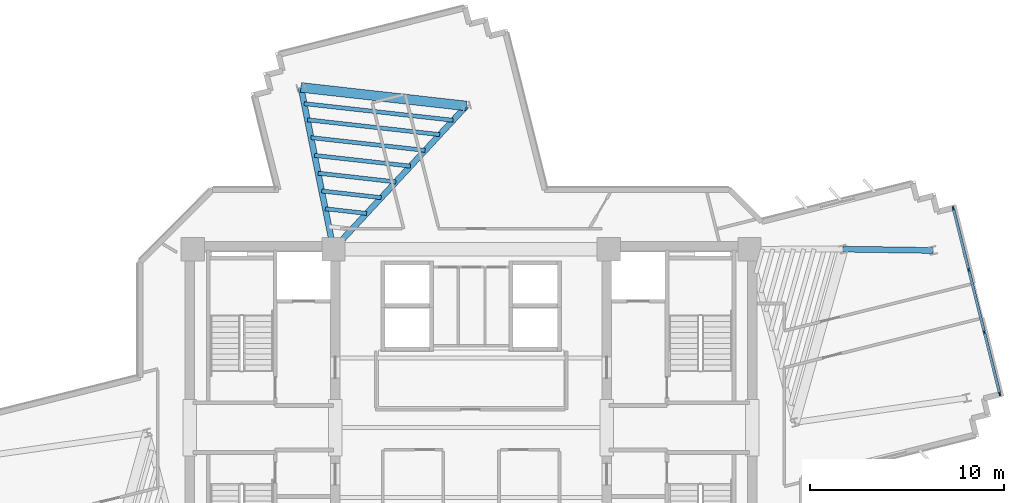
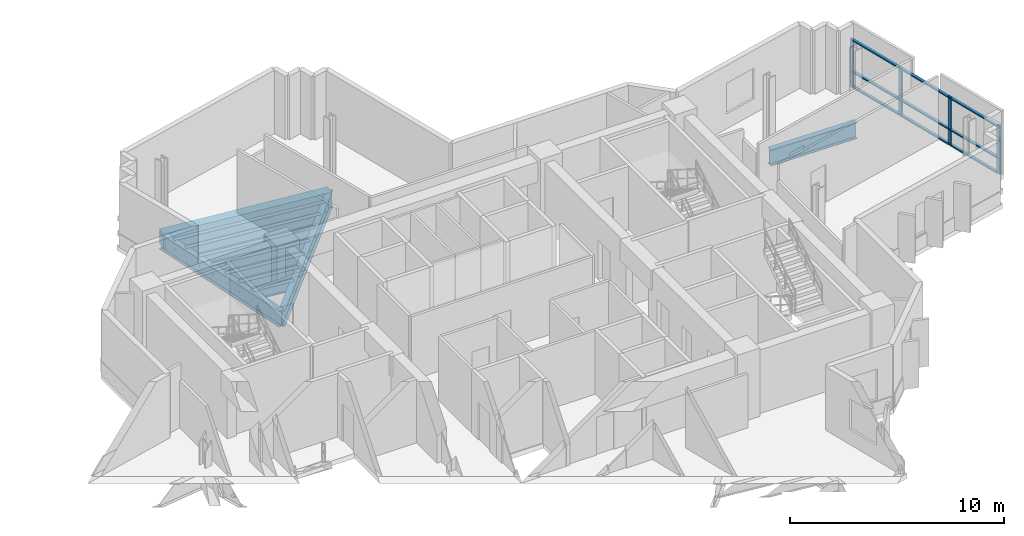
# One storey, part 4 of 13: 13 members, 11 beams, 1 element without a shape of its own.
"""IFC4 building model written with IfcOpenShell, lengths in metres."""

import ifcopenshell
import ifcopenshell.guid

model = None  # the IFC model being written
_history = None  # IfcOwnerHistory: only IFC2X3 demands one
_inside = {}  # id of a spatial element -> (the spatial element, [elements in it])
_under = {}  # id of a project, library or spatial element -> (it, [spatial elements below it])
_declared = {}  # id of a project -> (the project, [libraries it declares])
_typed = {}  # id of a type object -> (the type object, [elements of that type])
_made_of = {}  # id of a material, layer set ... -> (it, [elements and type objects made of it])


def new_model(schema):
    """Start an empty IFC model of exactly this schema.

    Asked for "IFC4X3", IfcOpenShell would pick the latest addendum, in which some entities
    have other attributes; the version numbers below select the first issue.
    IFC2X3 requires an IfcOwnerHistory on every rooted entity: one is made here for all.
    """
    global model, _history
    if schema == "IFC4X3":
        model = ifcopenshell.file(schema_version=(4, 3, 0, 0))
    else:
        model = ifcopenshell.file(schema=schema)
    _inside.clear()
    _under.clear()
    _declared.clear()
    _typed.clear()
    _made_of.clear()
    _history = None
    if model.schema == "IFC2X3":
        org = make("IfcOrganization", Name="unknown")
        user = make(
            "IfcPersonAndOrganization",
            ThePerson=make("IfcPerson", FamilyName="unknown"),
            TheOrganization=org,
        )
        app = make(
            "IfcApplication",
            ApplicationDeveloper=org,
            Version="unknown",
            ApplicationFullName="unknown",
            ApplicationIdentifier="unknown",
        )
        _history = make(
            "IfcOwnerHistory",
            OwningUser=user,
            OwningApplication=app,
            ChangeAction="ADDED",
            CreationDate=0,
        )
    return model


def make(cls, **values):
    """One entity of the class cls with the attributes given. An attribute that is None is left unset."""
    return model.create_entity(
        cls, **{name: value for name, value in values.items() if value is not None}
    )


def rooted(cls, **values):
    """An entity with a GlobalId (a new one), such as an element, a storey or a relation."""
    return make(cls, GlobalId=ifcopenshell.guid.new(), OwnerHistory=_history, **values)


def si_unit(unit_type, name, prefix=None):
    """IfcSIUnit, for example si_unit("LENGTHUNIT", "METRE", prefix="MILLI")."""
    return make("IfcSIUnit", UnitType=unit_type, Prefix=prefix, Name=name)


def assignment(units):
    """IfcUnitAssignment: the units of a project."""
    return None if units is None else make("IfcUnitAssignment", Units=units)


def point(xyz):
    """IfcCartesianPoint."""
    return None if xyz is None else make("IfcCartesianPoint", Coordinates=xyz)


def direction(xyz):
    """IfcDirection."""
    return None if xyz is None else make("IfcDirection", DirectionRatios=xyz)


def frame(location, z_axis=None, x_axis=None):
    """IfcAxis2Placement3D, a coordinate frame: its origin and axes. An axis left out is left unset."""
    return make(
        "IfcAxis2Placement3D",
        Location=point(location),
        Axis=direction(z_axis),
        RefDirection=direction(x_axis),
    )


def frame_2d(location, x_axis=None):
    """IfcAxis2Placement2D, a coordinate frame in the plane: its origin and x axis."""
    return make(
        "IfcAxis2Placement2D", Location=point(location), RefDirection=direction(x_axis)
    )


def origin():
    """The frame at (0, 0, 0) with its axes left unset."""
    return frame((0.0, 0.0, 0.0))


def origin_2d():
    """The frame at (0, 0) in the plane with its x axis left unset."""
    return frame_2d((0.0, 0.0))


def place(relative_to, where):
    """IfcLocalPlacement: puts the frame where relative to a parent placement (None: the world)."""
    return make(
        "IfcLocalPlacement", PlacementRelTo=relative_to, RelativePlacement=where
    )


def context(
    kind, dimensions, precision=None, world=None, true_north=None, identifier=None
):
    """IfcGeometricRepresentationContext, for example the 3D "Model" context."""
    return make(
        "IfcGeometricRepresentationContext",
        ContextIdentifier=identifier,
        ContextType=kind,
        CoordinateSpaceDimension=dimensions,
        Precision=precision,
        WorldCoordinateSystem=world,
        TrueNorth=true_north,
    )


def subcontext(parent, identifier, kind, view, scale=None):
    """IfcGeometricRepresentationSubContext, for example "Body" below "Model"."""
    return make(
        "IfcGeometricRepresentationSubContext",
        ContextIdentifier=identifier,
        ContextType=kind,
        ParentContext=parent,
        TargetScale=scale,
        TargetView=view,
    )


def project(units=None, contexts=None):
    """IfcProject with its units and contexts."""
    return rooted(
        "IfcProject",
        Name="project",
        RepresentationContexts=contexts,
        UnitsInContext=assignment(units),
    )


def spatial(cls, under=None, at=None, **own):
    """A site, building, storey or space (cls), placed at a placement, below another one or the project."""
    s = rooted(cls, ObjectPlacement=at, **own)
    if under is not None:
        _under.setdefault(under.id(), (under, []))[1].append(s)
    return s


def profile(cls, at=None, kind="AREA", **sizes):
    """A parametric profile (cls). Its sizes go by their IFC names, for example OverallWidth=200.0."""
    return make(cls, ProfileType=kind, Position=at, **sizes)


def rectangle(**sizes):
    """IfcRectangleProfileDef."""
    return profile("IfcRectangleProfileDef", **sizes)


def i_section(**sizes):
    """IfcIShapeProfileDef."""
    return profile("IfcIShapeProfileDef", **sizes)


def extrude(swept, where, along, depth):
    """IfcExtrudedAreaSolid: the profile swept, set in the frame where, extruded along a direction by depth."""
    return make(
        "IfcExtrudedAreaSolid",
        SweptArea=swept,
        Position=where,
        ExtrudedDirection=direction(along),
        Depth=depth,
    )


def shape(context_of_items, identifier, shape_type, items):
    """IfcShapeRepresentation: the items that make up one representation, for example the "Body"."""
    return make(
        "IfcShapeRepresentation",
        ContextOfItems=context_of_items,
        RepresentationIdentifier=identifier,
        RepresentationType=shape_type,
        Items=items,
    )


def source(mapping_origin, context_of_items, identifier, shape_type, items):
    """IfcRepresentationMap: a shape defined once, which mapped items show again and again."""
    return make(
        "IfcRepresentationMap",
        MappingOrigin=mapping_origin,
        MappedRepresentation=shape(context_of_items, identifier, shape_type, items),
    )


def transform(
    local_origin,
    x_axis=None,
    y_axis=None,
    z_axis=None,
    scale=None,
    scale2=None,
    scale3=None,
    uniform=True,
):
    """IfcCartesianTransformationOperator3D, or its non-uniform kind. x_axis, y_axis, z_axis: its Axis1, 2, 3."""
    if uniform:
        return make(
            "IfcCartesianTransformationOperator3D",
            Axis1=direction(x_axis),
            Axis2=direction(y_axis),
            LocalOrigin=point(local_origin),
            Scale=scale,
            Axis3=direction(z_axis),
        )
    return make(
        "IfcCartesianTransformationOperator3DnonUniform",
        Axis1=direction(x_axis),
        Axis2=direction(y_axis),
        LocalOrigin=point(local_origin),
        Scale=scale,
        Axis3=direction(z_axis),
        Scale2=scale2,
        Scale3=scale3,
    )


def mapped(mapping_source, mapping_target):
    """IfcMappedItem: shows the shape of a source again, moved by a transform."""
    return make(
        "IfcMappedItem", MappingSource=mapping_source, MappingTarget=mapping_target
    )


def material(Name=None, Category=None):
    """IfcMaterial."""
    return make("IfcMaterial", Name=Name, Category=Category)


def layer(
    of_material, thickness, ventilated=None, Name=None, Category=None, Priority=None
):
    """IfcMaterialLayer: one layer of a wall or slab, of a material (None: an air gap)."""
    return make(
        "IfcMaterialLayer",
        Material=of_material,
        LayerThickness=thickness,
        IsVentilated=ventilated,
        Name=Name,
        Category=Category,
        Priority=Priority,
    )


def layer_set(layers, Name=None):
    """IfcMaterialLayerSet."""
    return make("IfcMaterialLayerSet", MaterialLayers=layers, LayerSetName=Name)


def material_profile(
    of_material, cross_section, Name=None, Category=None, Priority=None
):
    """IfcMaterialProfile: a cross section and its material."""
    return make(
        "IfcMaterialProfile",
        Name=Name,
        Material=of_material,
        Profile=cross_section,
        Priority=Priority,
        Category=Category,
    )


def profile_set(profiles, Name=None, composite=None):
    """IfcMaterialProfileSet."""
    return make(
        "IfcMaterialProfileSet",
        Name=Name,
        MaterialProfiles=profiles,
        CompositeProfile=composite,
    )


def made_of(thing, what):
    """Note that an element or type object is made of a material, layer set ...; save() writes the relation."""
    if what is not None:
        _made_of.setdefault(what.id(), (what, []))[1].append(thing)
    return thing


def type_object(cls, material=None, **own):
    """A type object (cls), such as IfcWallType, which elements share."""
    return made_of(rooted(cls, **own), material)


def element(
    cls,
    number,
    at=None,
    inside=None,
    cuts=None,
    type_object=None,
    material=None,
    context=None,
    identifier="Body",
    shape_type=None,
    held_by="IfcProductDefinitionShape",
    body=None,
    shapes=None,
    **own,
):
    """One element of the class cls, such as IfcWall. Its Tag is "e" and its number.

    at: its placement. inside: the storey or other place that contains it. cuts: it is an
    opening in that element (IfcRelVoidsElement). A single representation is given by context,
    identifier, shape_type and body (its items); several are given by shapes. held_by: the class
    of the entity that holds the representations. save() writes the other relations.
    """
    e = rooted(cls, Tag="e%d" % number, ObjectPlacement=at, **own)
    if body is not None:
        shapes = [shape(context, identifier, shape_type, body)]
    if shapes is not None:
        e.Representation = make(held_by, Representations=shapes)
    if inside is not None:
        _inside.setdefault(inside.id(), (inside, []))[1].append(e)
    if cuts is not None:
        rooted(
            "IfcRelVoidsElement", RelatingBuildingElement=cuts, RelatedOpeningElement=e
        )
    if type_object is not None:
        _typed.setdefault(type_object.id(), (type_object, []))[1].append(e)
    return made_of(e, material)


def aggregate(whole, parts):
    """IfcRelAggregates: a whole, such as a stair, and the parts it consists of."""
    return rooted("IfcRelAggregates", RelatingObject=whole, RelatedObjects=parts)


def save(model, path):
    """Write the relations noted so far, then the file.

    IfcRelAggregates (storeys below a building ...), IfcRelContainedInSpatialStructure (elements
    in a storey), IfcRelDefinesByType, IfcRelAssociatesMaterial and IfcRelDeclares: one each for
    every whole, place, type object, material and project.
    """
    for whole, parts in _under.values():
        aggregate(whole, parts)
    for where, things in _inside.values():
        rooted(
            "IfcRelContainedInSpatialStructure",
            RelatedElements=things,
            RelatingStructure=where,
        )
    for kind, things in _typed.values():
        rooted("IfcRelDefinesByType", RelatedObjects=things, RelatingType=kind)
    for what, things in _made_of.values():
        rooted("IfcRelAssociatesMaterial", RelatedObjects=things, RelatingMaterial=what)
    for by, libraries in _declared.values():
        rooted("IfcRelDeclares", RelatingContext=by, RelatedDefinitions=libraries)
    model.write(path)


model = new_model("IFC4")

# Units and contexts
model_context = context("Model", 3, precision=1e-05, world=origin(), true_north=direction((0.0, 1.0)))
body_context = subcontext(model_context, "Body", "Model", "MODEL_VIEW")
ifc_project = project(units=[si_unit("LENGTHUNIT", "METRE"), si_unit("AREAUNIT", "SQUARE_METRE"), si_unit("VOLUMEUNIT", "CUBIC_METRE"), si_unit("PLANEANGLEUNIT", "RADIAN"), si_unit("MASSUNIT", "GRAM", prefix="KILO")], contexts=[model_context])

# Site, building, storey
site_placement = place(None, origin())
site = spatial("IfcSite", under=ifc_project, at=site_placement, CompositionType="ELEMENT")
building_placement = place(site_placement, origin())
building = spatial("IfcBuilding", under=site, at=building_placement, Name="Zahravan Cultural Tower", CompositionType="ELEMENT")
storey_placement = place(building_placement, frame((0.0, 0.0, 182.39990234375)))
storey = spatial("IfcBuildingStorey", under=building, at=storey_placement, Name="L42", CompositionType="ELEMENT", Elevation=182.39990234375)

# Beams
ifc_material_1 = material(Name="Steel ASTM A992 Grade 50", Category="steel")
ifc_material_profile_1 = material_profile(ifc_material_1, i_section(OverallWidth=0.304931640625, OverallDepth=0.9189453125, WebThickness=0.017333984375, FlangeThickness=0.02783203125, FilletRadius=0.02392578125, at=origin_2d()), Name="W36X170")
ifc_profile_set_1 = profile_set([ifc_material_profile_1], Name="Steel ASTM A992 Grade 50")
beam_type_1 = type_object("IfcBeamType", Name="BM-G-W36X170", PredefinedType="BEAM", material=ifc_profile_set_1)
shared_shape_1 = source(origin(), body_context, "Body", "SweptSolid", [
    extrude(i_section(OverallWidth=0.304931640625, OverallDepth=0.9189453125, WebThickness=0.017333984375, FlangeThickness=0.02783203125, FilletRadius=0.02392578125, at=origin_2d()), origin(), (0.0, 0.0, 1.0), 10.077880859375),
])
beam_1_placement = place(storey_placement, frame((28.89990234375, 36.199951171875, -0.739501953125), z_axis=(0.680170435587, 0.733054007938, 0.0), x_axis=(-0.733054007938, 0.680170435587, 0.0)))
element("IfcBeam", 1, at=beam_1_placement, inside=storey, type_object=beam_type_1, Name="L42 Beam BG-L42-13", PredefinedType="BEAM", context=body_context, shape_type="MappedRepresentation", body=[
    mapped(shared_shape_1, transform((0.0, 0.0, 0.0), x_axis=(1.0, 0.0, 0.0), y_axis=(0.0, 1.0, 0.0), z_axis=(0.0, 0.0, 1.0), scale=1.0)),
])
shared_shape_2 = source(origin(), body_context, "Body", "SweptSolid", [
    extrude(i_section(OverallWidth=0.304931640625, OverallDepth=0.9189453125, WebThickness=0.017333984375, FlangeThickness=0.02783203125, FilletRadius=0.02392578125, at=origin_2d()), origin(), (0.0, 0.0, 1.0), 8.50732421875),
])
beam_2_placement = place(storey_placement, frame((28.89990234375, 36.199951171875, -0.739501953125), z_axis=(-0.196524514012, 0.980498911469, 0.0), x_axis=(-0.980498911469, -0.196524514012, 0.0)))
element("IfcBeam", 2, at=beam_2_placement, inside=storey, type_object=beam_type_1, Name="L42 Beam BG-L42-14", PredefinedType="BEAM", context=body_context, shape_type="MappedRepresentation", body=[
    mapped(shared_shape_2, transform((0.0, 0.0, 0.0), x_axis=(1.0, 0.0, 0.0), y_axis=(0.0, 1.0, 0.0), z_axis=(0.0, 0.0, 1.0), scale=1.0)),
])
shared_shape_3 = source(origin(), body_context, "Body", "SweptSolid", [
    extrude(i_section(OverallWidth=0.304931640625, OverallDepth=0.9189453125, WebThickness=0.017333984375, FlangeThickness=0.02783203125, FilletRadius=0.02392578125, at=origin_2d()), origin(), (0.0, 0.0, 1.0), 4.622314453125),
])
beam_3_placement = place(storey_placement, frame((55.184814453125, 36.2060546875, -0.739501953125), z_axis=(0.999889070044, -0.014894549562, 0.0), x_axis=(0.014894549562, 0.999889070044, 0.0)))
element("IfcBeam", 3, at=beam_3_placement, inside=storey, type_object=beam_type_1, Name="L42 Beam BG-L42-16", PredefinedType="BEAM", context=body_context, shape_type="MappedRepresentation", body=[
    mapped(shared_shape_3, transform((0.0, 0.0, 0.0), x_axis=(1.0, 0.0, 0.0), y_axis=(0.0, 1.0, 0.0), z_axis=(0.0, 0.0, 1.0), scale=1.0)),
])
ifc_material_2 = material(Name="Concrete C50/60", Category="concrete")
ifc_material_profile_2 = material_profile(ifc_material_2, rectangle(XDim=0.5, YDim=0.85009765625, at=origin_2d()), Name="RC500X850")
ifc_profile_set_2 = profile_set([ifc_material_profile_2], Name="Concrete C50/60")
beam_type_2 = type_object("IfcBeamType", Name="BM-SP-RC500X850", PredefinedType="SPANDREL", material=ifc_profile_set_2)
shared_shape_4 = source(origin(), body_context, "Body", "SweptSolid", [
    extrude(rectangle(XDim=0.5, YDim=0.85009765625, at=origin_2d()), origin(), (0.0, 0.0, 1.0), 8.579833984375),
])
beam_4_placement = place(storey_placement, frame((35.754638671875, 43.587646484375, -0.704833984375), z_axis=(-0.9938040105, 0.11114669907, 0.0), x_axis=(-0.11114669907, -0.9938040105, 0.0)))
element("IfcBeam", 4, at=beam_4_placement, inside=storey, type_object=beam_type_2, Name="L42 Beam SP-L42-22", PredefinedType="SPANDREL", context=body_context, shape_type="MappedRepresentation", body=[
    mapped(shared_shape_4, transform((0.0, 0.0, 0.0), x_axis=(1.0, 0.0, 0.0), y_axis=(0.0, 1.0, 0.0), z_axis=(0.0, 0.0, 1.0), scale=1.0)),
])
ifc_material_profile_3 = material_profile(ifc_material_1, i_section(OverallWidth=0.2099609375, OverallDepth=0.532958984375, WebThickness=0.01025390625, FlangeThickness=0.015625, FilletRadius=0.013916015625, at=origin_2d()), Name="W21X62")
ifc_profile_set_3 = profile_set([ifc_material_profile_3], Name="Steel ASTM A992 Grade 50")
beam_type_3 = type_object("IfcBeamType", Name="BM-J-W21X62", PredefinedType="JOIST", material=ifc_profile_set_3)
shared_shape_5 = source(origin(), body_context, "Body", "SweptSolid", [
    extrude(i_section(OverallWidth=0.2099609375, OverallDepth=0.532958984375, WebThickness=0.01025390625, FlangeThickness=0.015625, FilletRadius=0.013916015625, at=origin_2d()), origin(), (0.0, 0.0, 1.0), 2.144775390625),
])
beam_5_placement = place(storey_placement, frame((30.613525390625, 38.046875, -0.54638671875), z_axis=(-0.993797370806, 0.111206051, 0.0), x_axis=(-0.111206051, -0.993797370806, 0.0)))
element("IfcBeam", 5, at=beam_5_placement, inside=storey, type_object=beam_type_3, Name="L42 Beam BJ-L42-51", PredefinedType="JOIST", context=body_context, shape_type="MappedRepresentation", body=[
    mapped(shared_shape_5, transform((0.0, 0.0, 0.0), x_axis=(1.0, 0.0, 0.0), y_axis=(0.0, 1.0, 0.0), z_axis=(0.0, 0.0, 1.0), scale=1.0)),
])
shared_shape_6 = source(origin(), body_context, "Body", "SweptSolid", [
    extrude(i_section(OverallWidth=0.2099609375, OverallDepth=0.532958984375, WebThickness=0.01025390625, FlangeThickness=0.015625, FilletRadius=0.013916015625, at=origin_2d()), origin(), (0.0, 0.0, 1.0), 3.088623046875),
])
beam_6_placement = place(storey_placement, frame((31.36767578125, 38.859619140625, -0.54638671875), z_axis=(-0.993805407368, 0.111134208443, 0.0), x_axis=(-0.111134208443, -0.993805407368, 0.0)))
element("IfcBeam", 6, at=beam_6_placement, inside=storey, type_object=beam_type_3, Name="L42 Beam BJ-L42-52", PredefinedType="JOIST", context=body_context, shape_type="MappedRepresentation", body=[
    mapped(shared_shape_6, transform((0.0, 0.0, 0.0), x_axis=(1.0, 0.0, 0.0), y_axis=(0.0, 1.0, 0.0), z_axis=(0.0, 0.0, 1.0), scale=1.0)),
])
shared_shape_7 = source(origin(), body_context, "Body", "SweptSolid", [
    extrude(i_section(OverallWidth=0.2099609375, OverallDepth=0.532958984375, WebThickness=0.01025390625, FlangeThickness=0.015625, FilletRadius=0.013916015625, at=origin_2d()), origin(), (0.0, 0.0, 1.0), 4.0322265625),
])
beam_7_placement = place(storey_placement, frame((32.12158203125, 39.672119140625, -0.54638671875), z_axis=(-0.993802245601, 0.11116247855, 0.0), x_axis=(-0.11116247855, -0.993802245601, 0.0)))
element("IfcBeam", 7, at=beam_7_placement, inside=storey, type_object=beam_type_3, Name="L42 Beam BJ-L42-53", PredefinedType="JOIST", context=body_context, shape_type="MappedRepresentation", body=[
    mapped(shared_shape_7, transform((0.0, 0.0, 0.0), x_axis=(1.0, 0.0, 0.0), y_axis=(0.0, 1.0, 0.0), z_axis=(0.0, 0.0, 1.0), scale=1.0)),
])
shared_shape_8 = source(origin(), body_context, "Body", "SweptSolid", [
    extrude(i_section(OverallWidth=0.2099609375, OverallDepth=0.532958984375, WebThickness=0.01025390625, FlangeThickness=0.015625, FilletRadius=0.013916015625, at=origin_2d()), origin(), (0.0, 0.0, 1.0), 4.97607421875),
])
beam_8_placement = place(storey_placement, frame((32.875732421875, 40.48486328125, -0.54638671875), z_axis=(-0.993806308517, 0.111126149723, 0.0), x_axis=(-0.111126149723, -0.993806308517, 0.0)))
element("IfcBeam", 8, at=beam_8_placement, inside=storey, type_object=beam_type_3, Name="L42 Beam BJ-L42-54", PredefinedType="JOIST", context=body_context, shape_type="MappedRepresentation", body=[
    mapped(shared_shape_8, transform((0.0, 0.0, 0.0), x_axis=(1.0, 0.0, 0.0), y_axis=(0.0, 1.0, 0.0), z_axis=(0.0, 0.0, 1.0), scale=1.0)),
])
shared_shape_9 = source(origin(), body_context, "Body", "SweptSolid", [
    extrude(i_section(OverallWidth=0.2099609375, OverallDepth=0.532958984375, WebThickness=0.01025390625, FlangeThickness=0.015625, FilletRadius=0.013916015625, at=origin_2d()), origin(), (0.0, 0.0, 1.0), 5.919921875),
])
beam_9_placement = place(storey_placement, frame((33.629638671875, 41.29736328125, -0.54638671875), z_axis=(-0.993804520866, 0.111142135602, 0.0), x_axis=(-0.111142135602, -0.993804520866, 0.0)))
element("IfcBeam", 9, at=beam_9_placement, inside=storey, type_object=beam_type_3, Name="L42 Beam BJ-L42-55", PredefinedType="JOIST", context=body_context, shape_type="MappedRepresentation", body=[
    mapped(shared_shape_9, transform((0.0, 0.0, 0.0), x_axis=(1.0, 0.0, 0.0), y_axis=(0.0, 1.0, 0.0), z_axis=(0.0, 0.0, 1.0), scale=1.0)),
])
shared_shape_10 = source(origin(), body_context, "Body", "SweptSolid", [
    extrude(i_section(OverallWidth=0.2099609375, OverallDepth=0.532958984375, WebThickness=0.01025390625, FlangeThickness=0.015625, FilletRadius=0.013916015625, at=origin_2d()), origin(), (0.0, 0.0, 1.0), 6.86376953125),
])
beam_10_placement = place(storey_placement, frame((34.3837890625, 42.110107421875, -0.54638671875), z_axis=(-0.993803224695, 0.111153725024, 0.0), x_axis=(-0.111153725024, -0.993803224695, 0.0)))
element("IfcBeam", 10, at=beam_10_placement, inside=storey, type_object=beam_type_3, Name="L42 Beam BJ-L42-56", PredefinedType="JOIST", context=body_context, shape_type="MappedRepresentation", body=[
    mapped(shared_shape_10, transform((0.0, 0.0, 0.0), x_axis=(1.0, 0.0, 0.0), y_axis=(0.0, 1.0, 0.0), z_axis=(0.0, 0.0, 1.0), scale=1.0)),
])
shared_shape_11 = source(origin(), body_context, "Body", "SweptSolid", [
    extrude(i_section(OverallWidth=0.2099609375, OverallDepth=0.532958984375, WebThickness=0.01025390625, FlangeThickness=0.015625, FilletRadius=0.013916015625, at=origin_2d()), origin(), (0.0, 0.0, 1.0), 7.7216796875),
])
beam_11_placement = place(storey_placement, frame((35.069091796875, 42.848876953125, -0.54638671875), z_axis=(-0.993805212115, 0.11113595446, 0.0), x_axis=(-0.11113595446, -0.993805212115, 0.0)))
element("IfcBeam", 11, at=beam_11_placement, inside=storey, type_object=beam_type_3, Name="L42 Beam BJ-L42-57", PredefinedType="JOIST", context=body_context, shape_type="MappedRepresentation", body=[
    mapped(shared_shape_11, transform((0.0, 0.0, 0.0), x_axis=(1.0, 0.0, 0.0), y_axis=(0.0, 1.0, 0.0), z_axis=(0.0, 0.0, 1.0), scale=1.0)),
])

# Curtain wall, members
ifc_material_3 = material(Name="Anodised bronze-aluminium mullion", Category="aluminium")
ifc_layer = layer(ifc_material_3, 0.199951171875)
ifc_layer_set = layer_set([ifc_layer], Name="Anodised bronze-aluminium mullion")
curtain_wall_type = type_object("IfcCurtainWallType", Name="CW-SYS-2", PredefinedType="USERDEFINED", material=ifc_layer_set)
curtain_wall_placement = place(storey_placement, origin())
curtain_wall = element("IfcCurtainWall", 12, at=curtain_wall_placement, inside=storey, type_object=curtain_wall_type, Name="L42 Recessed Curtain Wall CW-2.1", ObjectType="RECESSED GLAZING", PredefinedType="USERDEFINED")
ifc_material_profile_4 = material_profile(ifc_material_3, rectangle(XDim=0.14990234375, YDim=0.074951171875, at=origin_2d()), Name="AL-T75X150")
ifc_profile_set_4 = profile_set([ifc_material_profile_4], Name="Anodised bronze-aluminium mullion")
member_type_1 = type_object("IfcMemberType", Name="CWT-CW-2", PredefinedType="USERDEFINED", material=ifc_profile_set_4)
shared_shape_12 = source(origin(), body_context, "Body", "SweptSolid", [
    extrude(rectangle(XDim=0.14990234375, YDim=0.074951171875, at=origin_2d()), origin(), (0.0, 0.0, 1.0), 3.231689453125),
])
member_1_placement = place(storey_placement, frame((61.662841796875, 35.0927734375, 0.03759765625), z_axis=(0.24287333559, -0.970058010049, 0.0), x_axis=(0.970058010049, 0.24287333559, 0.0)))
member_1 = element("IfcMember", 13, at=member_1_placement, type_object=member_type_1, Name="CW-2 transom 2.1", ObjectType="TRANSOM", PredefinedType="USERDEFINED", context=body_context, shape_type="MappedRepresentation", body=[
    mapped(shared_shape_12, transform((0.0, 0.0, 0.0), x_axis=(1.0, 0.0, 0.0), y_axis=(0.0, 1.0, 0.0), z_axis=(0.0, 0.0, 1.0), scale=1.0)),
])
member_2_placement = place(storey_placement, frame((61.662841796875, 35.0927734375, 0.900146484375), z_axis=(0.24287333559, -0.970058010049, 0.0), x_axis=(0.970058010049, 0.24287333559, 0.0)))
member_2 = element("IfcMember", 14, at=member_2_placement, type_object=member_type_1, Name="CW-2 transom 2.2", ObjectType="TRANSOM", PredefinedType="USERDEFINED", context=body_context, shape_type="MappedRepresentation", body=[
    mapped(shared_shape_12, transform((0.0, 0.0, 0.0), x_axis=(1.0, 0.0, 0.0), y_axis=(0.0, 1.0, 0.0), z_axis=(0.0, 0.0, 1.0), scale=1.0)),
])
member_3_placement = place(storey_placement, frame((61.662841796875, 35.0927734375, 2.70263671875), z_axis=(0.24287333559, -0.970058010049, 0.0), x_axis=(0.970058010049, 0.24287333559, 0.0)))
member_3 = element("IfcMember", 15, at=member_3_placement, type_object=member_type_1, Name="CW-2 transom 2.3", ObjectType="TRANSOM", PredefinedType="USERDEFINED", context=body_context, shape_type="MappedRepresentation", body=[
    mapped(shared_shape_12, transform((0.0, 0.0, 0.0), x_axis=(1.0, 0.0, 0.0), y_axis=(0.0, 1.0, 0.0), z_axis=(0.0, 0.0, 1.0), scale=1.0)),
])
ifc_material_profile_5 = material_profile(ifc_material_3, rectangle(XDim=0.074951171875, YDim=0.199951171875, at=origin_2d()), Name="AL-M75X200")
ifc_profile_set_5 = profile_set([ifc_material_profile_5], Name="Anodised bronze-aluminium mullion")
member_type_2 = type_object("IfcMemberType", Name="CWM-CW-2", PredefinedType="MULLION", material=ifc_profile_set_5)
shared_shape_13 = source(origin(), body_context, "Body", "SweptSolid", [
    extrude(rectangle(XDim=0.074951171875, YDim=0.199951171875, at=origin_2d()), origin(), (0.0, 0.0, 1.0), 2.739990234375),
])
member_4_placement = place(storey_placement, frame((60.859375, 38.30029296875, 0.0), z_axis=(0.0, 0.0, 1.0), x_axis=(0.970040421945, 0.242943573269, 0.0)))
member_4 = element("IfcMember", 16, at=member_4_placement, type_object=member_type_2, Name="CW-2 mullion 1", PredefinedType="MULLION", context=body_context, shape_type="MappedRepresentation", body=[
    mapped(shared_shape_13, transform((0.0, 0.0, 0.0), x_axis=(1.0, 0.0, 0.0), y_axis=(0.0, 1.0, 0.0), z_axis=(0.0, 0.0, 1.0), scale=1.0)),
])
member_5_placement = place(storey_placement, frame((61.653564453125, 35.129150390625, 0.0), z_axis=(0.0, 0.0, 1.0), x_axis=(0.970040421945, 0.242943573269, 0.0)))
member_5 = element("IfcMember", 17, at=member_5_placement, type_object=member_type_2, Name="CW-2 mullion 2", PredefinedType="MULLION", context=body_context, shape_type="MappedRepresentation", body=[
    mapped(shared_shape_13, transform((0.0, 0.0, 0.0), x_axis=(1.0, 0.0, 0.0), y_axis=(0.0, 1.0, 0.0), z_axis=(0.0, 0.0, 1.0), scale=1.0)),
])
member_6_placement = place(storey_placement, frame((62.45703125, 31.92138671875, 0.0), z_axis=(0.0, 0.0, 1.0), x_axis=(0.970040421945, 0.242943573269, 0.0)))
member_6 = element("IfcMember", 18, at=member_6_placement, type_object=member_type_2, Name="CW-2 mullion 3", PredefinedType="MULLION", context=body_context, shape_type="MappedRepresentation", body=[
    mapped(shared_shape_13, transform((0.0, 0.0, 0.0), x_axis=(1.0, 0.0, 0.0), y_axis=(0.0, 1.0, 0.0), z_axis=(0.0, 0.0, 1.0), scale=1.0)),
])
member_7_placement = place(storey_placement, frame((63.251220703125, 28.750244140625, 0.0), z_axis=(0.0, 0.0, 1.0), x_axis=(0.970040421945, 0.242943573269, 0.0)))
member_7 = element("IfcMember", 19, at=member_7_placement, type_object=member_type_2, Name="CW-2 mullion 4", PredefinedType="MULLION", context=body_context, shape_type="MappedRepresentation", body=[
    mapped(shared_shape_13, transform((0.0, 0.0, 0.0), x_axis=(1.0, 0.0, 0.0), y_axis=(0.0, 1.0, 0.0), z_axis=(0.0, 0.0, 1.0), scale=1.0)),
])
shared_shape_14 = source(origin(), body_context, "Body", "SweptSolid", [
    extrude(rectangle(XDim=0.14990234375, YDim=0.074951171875, at=origin_2d()), origin(), (0.0, 0.0, 1.0), 3.194091796875),
])
member_8_placement = place(storey_placement, frame((60.868408203125, 38.263916015625, 0.03759765625), z_axis=(0.242985213581, -0.97002999231, 0.0), x_axis=(0.97002999231, 0.242985213581, 0.0)))
member_8 = element("IfcMember", 20, at=member_8_placement, type_object=member_type_1, Name="CW-2 transom 1.1", ObjectType="TRANSOM", PredefinedType="USERDEFINED", context=body_context, shape_type="MappedRepresentation", body=[
    mapped(shared_shape_14, transform((0.0, 0.0, 0.0), x_axis=(1.0, 0.0, 0.0), y_axis=(0.0, 1.0, 0.0), z_axis=(0.0, 0.0, 1.0), scale=1.0)),
])
member_9_placement = place(storey_placement, frame((60.868408203125, 38.263916015625, 0.900146484375), z_axis=(0.242985213581, -0.97002999231, 0.0), x_axis=(0.97002999231, 0.242985213581, 0.0)))
member_9 = element("IfcMember", 21, at=member_9_placement, type_object=member_type_1, Name="CW-2 transom 1.2", ObjectType="TRANSOM", PredefinedType="USERDEFINED", context=body_context, shape_type="MappedRepresentation", body=[
    mapped(shared_shape_14, transform((0.0, 0.0, 0.0), x_axis=(1.0, 0.0, 0.0), y_axis=(0.0, 1.0, 0.0), z_axis=(0.0, 0.0, 1.0), scale=1.0)),
])
member_10_placement = place(storey_placement, frame((60.868408203125, 38.263916015625, 2.70263671875), z_axis=(0.242985213581, -0.97002999231, 0.0), x_axis=(0.97002999231, 0.242985213581, 0.0)))
member_10 = element("IfcMember", 22, at=member_10_placement, type_object=member_type_1, Name="CW-2 transom 1.3", ObjectType="TRANSOM", PredefinedType="USERDEFINED", context=body_context, shape_type="MappedRepresentation", body=[
    mapped(shared_shape_14, transform((0.0, 0.0, 0.0), x_axis=(1.0, 0.0, 0.0), y_axis=(0.0, 1.0, 0.0), z_axis=(0.0, 0.0, 1.0), scale=1.0)),
])
member_11_placement = place(storey_placement, frame((62.466064453125, 31.885009765625, 0.03759765625), z_axis=(0.242985213581, -0.97002999231, 0.0), x_axis=(0.97002999231, 0.242985213581, 0.0)))
member_11 = element("IfcMember", 23, at=member_11_placement, type_object=member_type_1, Name="CW-2 transom 3.1", ObjectType="TRANSOM", PredefinedType="USERDEFINED", context=body_context, shape_type="MappedRepresentation", body=[
    mapped(shared_shape_14, transform((0.0, 0.0, 0.0), x_axis=(1.0, 0.0, 0.0), y_axis=(0.0, 1.0, 0.0), z_axis=(0.0, 0.0, 1.0), scale=1.0)),
])
member_12_placement = place(storey_placement, frame((62.466064453125, 31.885009765625, 0.900146484375), z_axis=(0.242985213581, -0.97002999231, 0.0), x_axis=(0.97002999231, 0.242985213581, 0.0)))
member_12 = element("IfcMember", 24, at=member_12_placement, type_object=member_type_1, Name="CW-2 transom 3.2", ObjectType="TRANSOM", PredefinedType="USERDEFINED", context=body_context, shape_type="MappedRepresentation", body=[
    mapped(shared_shape_14, transform((0.0, 0.0, 0.0), x_axis=(1.0, 0.0, 0.0), y_axis=(0.0, 1.0, 0.0), z_axis=(0.0, 0.0, 1.0), scale=1.0)),
])
member_13_placement = place(storey_placement, frame((62.466064453125, 31.885009765625, 2.70263671875), z_axis=(0.242985213581, -0.97002999231, 0.0), x_axis=(0.97002999231, 0.242985213581, 0.0)))
member_13 = element("IfcMember", 25, at=member_13_placement, type_object=member_type_1, Name="CW-2 transom 3.3", ObjectType="TRANSOM", PredefinedType="USERDEFINED", context=body_context, shape_type="MappedRepresentation", body=[
    mapped(shared_shape_14, transform((0.0, 0.0, 0.0), x_axis=(1.0, 0.0, 0.0), y_axis=(0.0, 1.0, 0.0), z_axis=(0.0, 0.0, 1.0), scale=1.0)),
])
aggregate(curtain_wall, [member_4, member_5, member_6, member_7, member_8, member_9, member_10, member_1, member_2, member_3, member_11, member_12, member_13])

save(model, "model.ifc")
